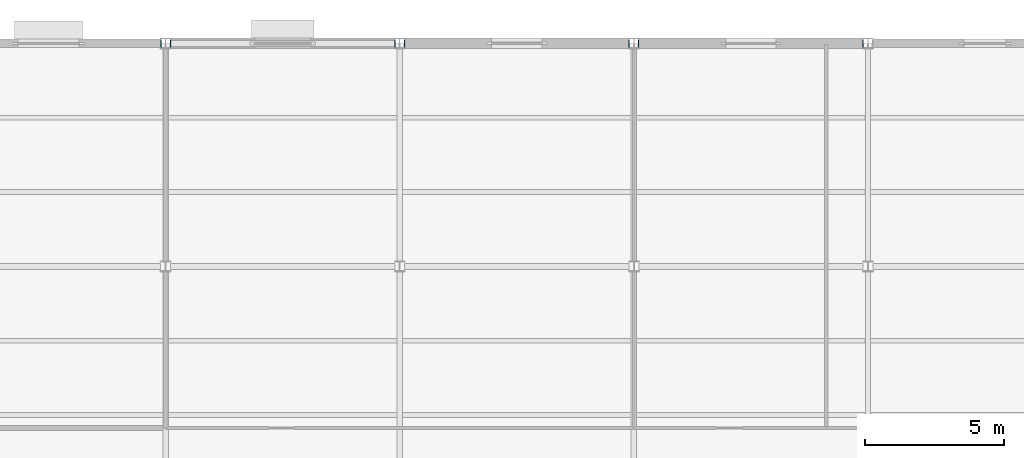
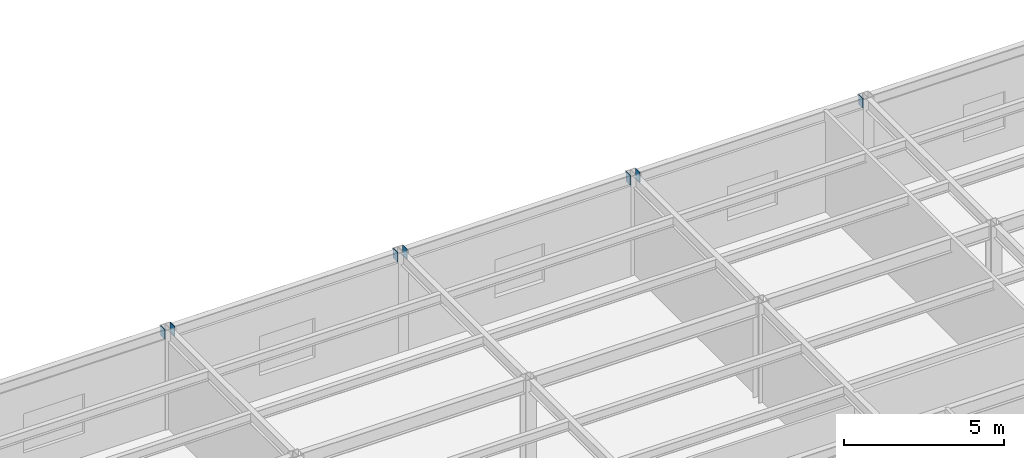
# One storey, part 126 of 138: 7 discrete accessories.
"""IFC4 building model written with IfcOpenShell, lengths in metres."""

from ifc_helpers import new_model, si_unit, direction, frame, origin, origin_2d, place, context, subcontext, project, spatial, rectangle, extrude, material, layer, layer_set, type_object, element, save


model = new_model("IFC4")

# Units and contexts
model_context = context("Model", 3, precision=1e-05, world=origin(), true_north=direction((0.0, 1.0)))
body_context = subcontext(model_context, "Body", "Model", "MODEL_VIEW")
ifc_project = project(units=[si_unit("LENGTHUNIT", "METRE"), si_unit("AREAUNIT", "SQUARE_METRE"), si_unit("VOLUMEUNIT", "CUBIC_METRE"), si_unit("PLANEANGLEUNIT", "RADIAN"), si_unit("MASSUNIT", "GRAM", prefix="KILO")], contexts=[model_context])

# Site, building, storey
site_placement = place(None, origin())
site = spatial("IfcSite", under=ifc_project, at=site_placement, CompositionType="ELEMENT")
building_placement = place(site_placement, origin())
building = spatial("IfcBuilding", under=site, at=building_placement, Name="Kranzveld Transit Interchange", CompositionType="ELEMENT")
storey_placement = place(building_placement, frame((0.0, 0.0, 5.43994140625)))
storey = spatial("IfcBuildingStorey", under=building, at=storey_placement, Name="L01", CompositionType="ELEMENT", Elevation=5.43994140625)

# Discrete accessories
ifc_material = material(Name="Steel S355JR", Category="steel")
ifc_layer = layer(ifc_material, 0.02001953125)
ifc_layer_set = layer_set([ifc_layer], Name="Steel S355JR")
discrete_accessory_type = type_object("IfcDiscreteAccessoryType", Name="Hollow Section End Cap Bracket 20 S355JR", PredefinedType="BRACKET", material=ifc_layer_set)
for number, where, z_axis, x_axis, name in (
    (1, (134.21875, 112.0, 3.625), (1.0, 0.0, 0.0), (0.0, 1.0, 0.0), "Hollow Section End Cap SP-RHS350-2"),
    (2, (134.581298828125, 112.0, 3.625), (-1.0, 0.0, 0.0), (0.0, -1.0, 0.0), "Hollow Section End Cap SP-RHS350-1"),
    (3, (142.61865234375, 112.0, 3.625), (1.0, 0.0, 0.0), (0.0, 1.0, 0.0), "Hollow Section End Cap SP-RHS350-2"),
    (4, (142.981201171875, 112.0, 3.625), (-1.0, 0.0, 0.0), (0.0, -1.0, 0.0), "Hollow Section End Cap SP-RHS350-1"),
    (5, (151.018798828125, 112.0, 3.625), (1.0, 0.0, 0.0), (0.0, 1.0, 0.0), "Hollow Section End Cap SP-RHS350-2"),
    (6, (151.38134765625, 112.0, 3.625), (-1.0, 0.0, 0.0), (0.0, -1.0, 0.0), "Hollow Section End Cap SP-RHS350-1"),
    (7, (159.418701171875, 112.0, 3.625), (1.0, 0.0, 0.0), (0.0, 1.0, 0.0), "Hollow Section End Cap SP-RHS350-2"),
):
    element("IfcDiscreteAccessory", number, at=place(storey_placement, frame(where, z_axis=z_axis, x_axis=x_axis)), inside=storey, type_object=discrete_accessory_type, Name=name, PredefinedType="BRACKET", context=body_context, shape_type="SweptSolid", body=[
        extrude(rectangle(XDim=0.27392578125, YDim=0.3740234375, at=origin_2d()), origin(), (0.0, 0.0, 1.0), 0.02001953125),
    ])

save(model, "model.ifc")
